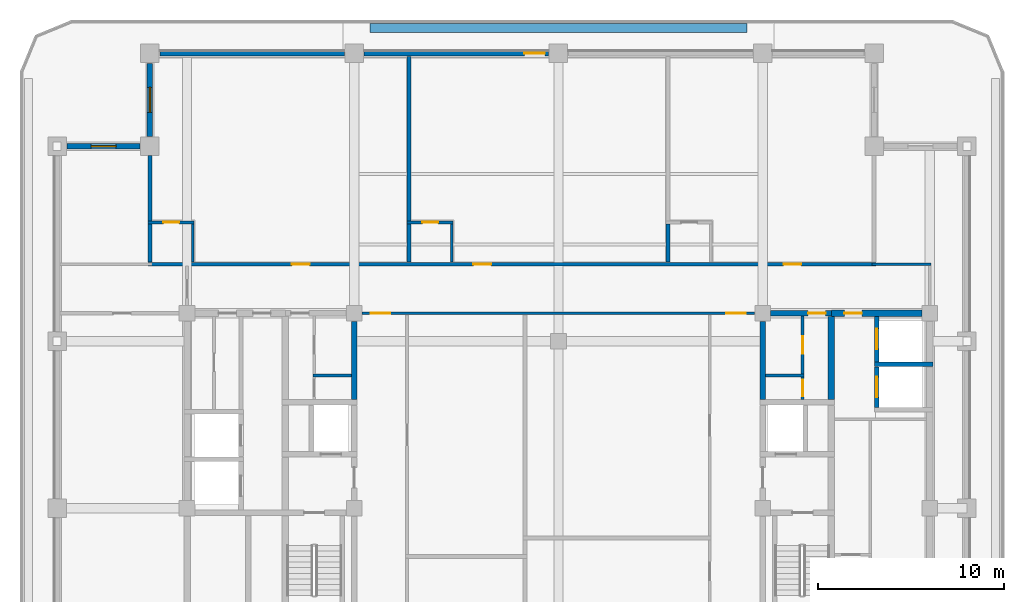
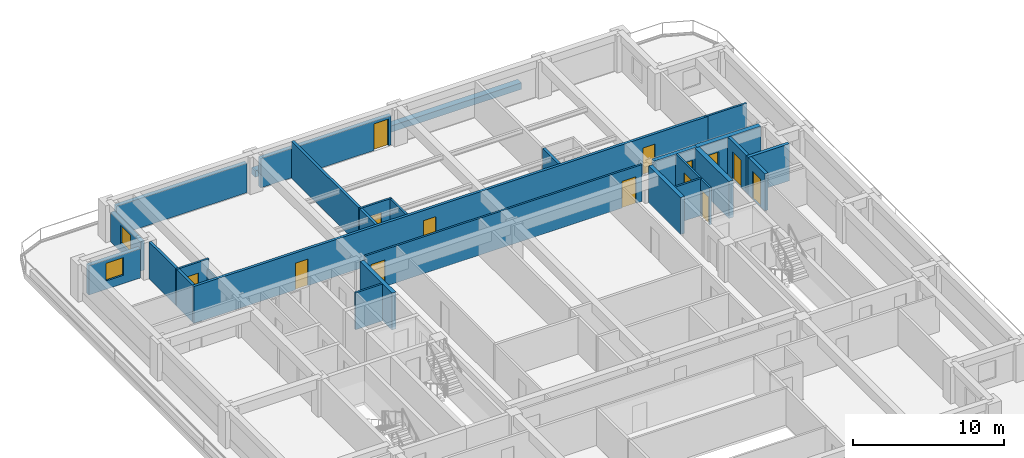
# One storey, part 5 of 13: 29 walls, 14 doors, 2 windows, 16 openings.
"""IFC4 building model written with IfcOpenShell, lengths in metres."""

from ifc_helpers import new_model, si_unit, direction, frame, frame_2d, origin, place, context, subcontext, project, spatial, rectangle, extrude, material, layer, layer_set, type_object, element, fill, save


model = new_model("IFC4")

# Units and contexts
model_context = context("Model", 3, precision=1e-05, world=origin(), true_north=direction((0.0, 1.0)))
body_context = subcontext(model_context, "Body", "Model", "MODEL_VIEW")
ifc_project = project(units=[si_unit("LENGTHUNIT", "METRE"), si_unit("AREAUNIT", "SQUARE_METRE"), si_unit("VOLUMEUNIT", "CUBIC_METRE"), si_unit("PLANEANGLEUNIT", "RADIAN"), si_unit("MASSUNIT", "GRAM", prefix="KILO")], contexts=[model_context])

# Site, building, storey
site_placement = place(None, origin())
site = spatial("IfcSite", under=ifc_project, at=site_placement, CompositionType="ELEMENT")
building_placement = place(site_placement, origin())
building = spatial("IfcBuilding", under=site, at=building_placement, Name="Zulmaris Gate Convention Tower", CompositionType="ELEMENT")
storey_placement = place(building_placement, frame((0.0, 0.0, 218.659912109375)))
storey = spatial("IfcBuildingStorey", under=building, at=storey_placement, Name="L57", CompositionType="ELEMENT", Elevation=218.659912109375)

# Wall
ifc_material_1 = material(Name="Concrete C50/60", Category="concrete")
ifc_layer_1 = layer(ifc_material_1, 0.25, Name="Concrete C50/60")
ifc_layer_set_1 = layer_set([ifc_layer_1], Name="Concrete C50/60")
wall_type_1 = type_object("IfcWallType", Name="CORE-250", PredefinedType="SOLIDWALL", material=ifc_layer_set_1)
wall_1_placement = place(storey_placement, frame((17.02490234375, 7.75, 0.0), z_axis=(0.0, 0.0, 1.0), x_axis=(1.0, 0.0, 0.0)))
element("IfcWall", 1, at=wall_1_placement, inside=storey, type_object=wall_type_1, Name="WL-L57-014", PredefinedType="SOLIDWALL", context=body_context, shape_type="SweptSolid", body=[
    extrude(rectangle(XDim=3.150146484375, YDim=0.25, at=frame_2d((1.5751953125, 0.0))), origin(), (0.0, 0.0, 1.0), 2.97509765625),
])

# Wall, opening, door
wall_2_placement = place(storey_placement, frame((17.14990234375, 5.427001953125, 0.0), z_axis=(0.0, 0.0, 1.0), x_axis=(0.0, 1.0, 0.0)))
wall_2 = element("IfcWall", 2, at=wall_2_placement, inside=storey, type_object=wall_type_1, Name="WL-L57-071", PredefinedType="SOLIDWALL", context=body_context, shape_type="SweptSolid", body=[
    extrude(rectangle(XDim=2.196044921875, YDim=0.25, at=frame_2d((1.09814453125, 0.0))), origin(), (0.0, 0.0, 1.0), 2.97509765625),
])
opening_1_placement = place(wall_2_placement, frame((0.548095703125, 0.0, 0.0)))
opening_1 = element("IfcOpeningElement", 3, at=opening_1_placement, cuts=wall_2, Name="Opening D-06", PredefinedType="OPENING", context=body_context, shape_type="SweptSolid", body=[
    extrude(rectangle(XDim=1.10009765625, YDim=2.199951171875, at=frame_2d((0.550048828125, 1.10009765625))), frame((0.0, 0.135009765625, 0.0), z_axis=(0.0, -1.0, 0.0), x_axis=(1.0, 0.0, 0.0)), (0.0, 0.0, 1.0), 0.27001953125),
])
ifc_material_2 = material(Name="Brushed Stainless Steel", Category="steel")
door_type_1 = type_object("IfcDoorType", Name="LD-1100", OperationType="NOTDEFINED", PredefinedType="DOOR", material=ifc_material_2)
door_1_placement = place(opening_1_placement, origin())
door_1 = element("IfcDoor", 4, at=door_1_placement, inside=storey, type_object=door_type_1, Name="L57 Lift Landing Door HP-01 19", OperationType="SLIDING_TO_RIGHT", OverallHeight=2.199951171875, OverallWidth=1.10009765625, PredefinedType="DOOR", context=body_context, shape_type="SweptSolid", body=[
    extrude(rectangle(XDim=1.10009765625, YDim=2.199951171875, at=frame_2d((0.550048828125, 1.10009765625))), frame((0.0, 0.02490234375, 0.0), z_axis=(0.0, -1.0, 0.0), x_axis=(1.0, 0.0, 0.0)), (0.0, 0.0, 1.0), 0.050048828125),
])
fill(opening_1, door_1)

wall_3_placement = place(storey_placement, frame((17.14990234375, 7.876953125, 0.0), z_axis=(0.0, 0.0, 1.0), x_axis=(0.0, 1.0, 0.0)))
wall_3 = element("IfcWall", 5, at=wall_3_placement, inside=storey, type_object=wall_type_1, Name="WL-L57-072", PredefinedType="SOLIDWALL", context=body_context, shape_type="SweptSolid", body=[
    extrude(rectangle(XDim=2.446044921875, YDim=0.25, at=frame_2d((1.22314453125, 0.0))), origin(), (0.0, 0.0, 1.0), 2.97509765625),
])
opening_2_placement = place(wall_3_placement, frame((0.697998046875, 0.0, 0.0)))
opening_2 = element("IfcOpeningElement", 6, at=opening_2_placement, cuts=wall_3, Name="Opening D-06", PredefinedType="OPENING", context=body_context, shape_type="SweptSolid", body=[
    extrude(rectangle(XDim=1.10009765625, YDim=2.199951171875, at=frame_2d((0.550048828125, 1.10009765625))), frame((0.0, 0.135009765625, 0.0), z_axis=(0.0, -1.0, 0.0), x_axis=(1.0, 0.0, 0.0)), (0.0, 0.0, 1.0), 0.27001953125),
])
door_2_placement = place(opening_2_placement, origin())
door_2 = element("IfcDoor", 7, at=door_2_placement, inside=storey, type_object=door_type_1, Name="L57 Lift Landing Door HP-02 20", OperationType="SLIDING_TO_RIGHT", OverallHeight=2.199951171875, OverallWidth=1.10009765625, PredefinedType="DOOR", context=body_context, shape_type="SweptSolid", body=[
    extrude(rectangle(XDim=1.10009765625, YDim=2.199951171875, at=frame_2d((0.550048828125, 1.10009765625))), frame((0.0, 0.02490234375, 0.0), z_axis=(0.0, -1.0, 0.0), x_axis=(1.0, 0.0, 0.0)), (0.0, 0.0, 1.0), 0.050048828125),
])
fill(opening_2, door_2)

ifc_layer_2 = layer(ifc_material_1, 0.300048828125, Name="Concrete C50/60")
ifc_layer_set_2 = layer_set([ifc_layer_2], Name="Concrete C50/60")
wall_type_2 = type_object("IfcWallType", Name="CORE-300", PredefinedType="SHEAR", material=ifc_layer_set_2)
wall_4_placement = place(storey_placement, frame((11.428955078125, 10.5, 0.0), z_axis=(0.0, 0.0, 1.0), x_axis=(1.0, 0.0, 0.0)))
wall_4 = element("IfcWall", 8, at=wall_4_placement, inside=storey, type_object=wall_type_2, Name="WL-L57-017", PredefinedType="SHEAR", context=body_context, shape_type="SweptSolid", body=[
    extrude(rectangle(XDim=3.27099609375, YDim=0.300048828125, at=frame_2d((1.635498046875, 0.0))), origin(), (0.0, 0.0, 1.0), 2.97509765625),
])
opening_3_placement = place(wall_4_placement, frame((2.01611328125, 0.0, 0.0)))
opening_3 = element("IfcOpeningElement", 9, at=opening_3_placement, cuts=wall_4, Name="Opening D-25", PredefinedType="OPENING", context=body_context, shape_type="SweptSolid", body=[
    extrude(rectangle(XDim=0.949951171875, YDim=2.02001953125, at=frame_2d((0.47509765625, 1.010009765625))), frame((0.0, 0.16015625, 0.0), z_axis=(0.0, -1.0, 0.0), x_axis=(1.0, 0.0, 0.0)), (0.0, 0.0, 1.0), 0.320068359375),
])
ifc_material_3 = material(Name="Fire-Rated Steel", Category="steel")
door_type_2 = type_object("IfcDoorType", Name="DR-950-LOW-FD", OperationType="NOTDEFINED", PredefinedType="DOOR", material=ifc_material_3)
door_3_placement = place(opening_3_placement, origin())
door_3 = element("IfcDoor", 10, at=door_3_placement, inside=storey, type_object=door_type_2, Name="L57 Core East Passage Door 10", OperationType="SINGLE_SWING_LEFT", OverallHeight=2.02001953125, OverallWidth=0.949951171875, PredefinedType="DOOR", context=body_context, shape_type="SweptSolid", body=[
    extrude(rectangle(XDim=0.949951171875, YDim=2.02001953125, at=frame_2d((0.47509765625, 1.010009765625))), frame((0.0, 0.02490234375, 0.0), z_axis=(0.0, -1.0, 0.0), x_axis=(1.0, 0.0, 0.0)), (0.0, 0.0, 1.0), 0.050048828125),
])
fill(opening_3, door_3)

# Walls
for number, where, z_axis, x_axis, name in (
    (11, (-11.0, 5.85205078125, 0.0), (0.0, 0.0, 1.0), (0.0, 1.0, 0.0), "WL-L57-060"),
    (12, (11.0, 5.85205078125, 0.0), (0.0, 0.0, 1.0), (0.0, 1.0, 0.0), "WL-L57-064"),
):
    element("IfcWall", number, at=place(storey_placement, frame(where, z_axis=z_axis, x_axis=x_axis)), inside=storey, type_object=wall_type_2, Name=name, PredefinedType="SHEAR", context=body_context, shape_type="SweptSolid", body=[
        extrude(rectangle(XDim=4.218994140625, YDim=0.300048828125, at=frame_2d((2.109375, 0.0))), origin(), (0.0, 0.0, 1.0), 2.97509765625),
    ])

# Wall, opening, door
ifc_material_4 = material(Name="Concrete C55/67", Category="concrete")
ifc_layer_3 = layer(ifc_material_4, 0.35009765625, Name="Concrete C55/67")
ifc_layer_set_3 = layer_set([ifc_layer_3], Name="Concrete C55/67")
wall_type_3 = type_object("IfcWallType", Name="CORE-350", PredefinedType="SHEAR", material=ifc_layer_set_3)
wall_5_placement = place(storey_placement, frame((14.699951171875, 10.5, 0.0), z_axis=(0.0, 0.0, 1.0), x_axis=(1.0, 0.0, 0.0)))
wall_5 = element("IfcWall", 13, at=wall_5_placement, inside=storey, type_object=wall_type_3, Name="WL-L57-018", PredefinedType="SHEAR", context=body_context, shape_type="SweptSolid", body=[
    extrude(rectangle(XDim=4.87109375, YDim=0.35009765625, at=frame_2d((2.435546875, 0.0))), origin(), (0.0, 0.0, 1.0), 2.97509765625),
])
opening_4_placement = place(wall_5_placement, frame((0.699951171875, 0.0, 0.0)))
opening_4 = element("IfcOpeningElement", 14, at=opening_4_placement, cuts=wall_5, Name="Opening D-25", PredefinedType="OPENING", context=body_context, shape_type="SweptSolid", body=[
    extrude(rectangle(XDim=0.949951171875, YDim=2.02001953125, at=frame_2d((0.47509765625, 1.010009765625))), frame((0.0, 0.18505859375, 0.0), z_axis=(0.0, -1.0, 0.0), x_axis=(1.0, 0.0, 0.0)), (0.0, 0.0, 1.0), 0.3701171875),
])
door_4_placement = place(opening_4_placement, origin())
door_4 = element("IfcDoor", 15, at=door_4_placement, inside=storey, type_object=door_type_2, Name="L57 High-Rise East Lift Lobby Door 21", OperationType="SINGLE_SWING_RIGHT", OverallHeight=2.02001953125, OverallWidth=0.949951171875, PredefinedType="DOOR", context=body_context, shape_type="SweptSolid", body=[
    extrude(rectangle(XDim=0.949951171875, YDim=2.02001953125, at=frame_2d((0.47509765625, 1.010009765625))), frame((0.0, 0.02490234375, 0.0), z_axis=(0.0, -1.0, 0.0), x_axis=(1.0, 0.0, 0.0)), (0.0, 0.0, 1.0), 0.050048828125),
])
fill(opening_4, door_4)

# Walls
wall_6_placement = place(storey_placement, frame((14.699951171875, 5.85205078125, 0.0), z_axis=(0.0, 0.0, 1.0), x_axis=(0.0, 1.0, 0.0)))
element("IfcWall", 16, at=wall_6_placement, inside=storey, type_object=wall_type_3, Name="WL-L57-070", PredefinedType="SHEAR", context=body_context, shape_type="SweptSolid", body=[
    extrude(rectangle(XDim=4.470947265625, YDim=0.35009765625, at=frame_2d((2.2353515625, 0.0))), origin(), (0.0, 0.0, 1.0), 2.97509765625),
])
ifc_material_5 = material(Name="Gypsum Metal Stud Partition")
ifc_layer_4 = layer(ifc_material_5, 0.14990234375, Name="Gypsum Metal Stud Partition")
ifc_layer_set_4 = layer_set([ifc_layer_4], Name="Gypsum Metal Stud Partition")
wall_type_4 = type_object("IfcWallType", Name="PART-150", PredefinedType="PARTITIONING", material=ifc_layer_set_4)
for number, where, z_axis, x_axis, name in (
    (17, (-13.22509765625, 7.14990234375, 0.0), (0.0, 0.0, 1.0), (1.0, 0.0, 0.0), "WL-L57-034"),
    (18, (11.153076171875, 7.14990234375, 0.0), (0.0, 0.0, 1.0), (1.0, 0.0, 0.0), "WL-L57-035"),
):
    element("IfcWall", number, at=place(storey_placement, frame(where, z_axis=z_axis, x_axis=x_axis)), inside=storey, type_object=wall_type_4, Name=name, PredefinedType="PARTITIONING", context=body_context, shape_type="SweptSolid", body=[
        extrude(rectangle(XDim=2.072021484375, YDim=0.14990234375, at=frame_2d((1.0361328125, 0.0))), origin(), (0.0, 0.0, 1.0), 2.97509765625),
    ])

# Wall, openings, doors
wall_7_placement = place(storey_placement, frame((-10.569091796875, 10.5, 0.0), z_axis=(0.0, 0.0, 1.0), x_axis=(1.0, 0.0, 0.0)))
wall_7 = element("IfcWall", 19, at=wall_7_placement, inside=storey, type_object=wall_type_4, Name="WL-L57-037", PredefinedType="PARTITIONING", context=body_context, shape_type="SweptSolid", body=[
    extrude(rectangle(XDim=21.13818359375, YDim=0.14990234375, at=frame_2d((10.569091796875, 0.0))), origin(), (0.0, 0.0, 1.0), 2.97509765625),
])
opening_5_placement = place(wall_7_placement, frame((0.47412109375, 0.0, 0.0)))
opening_5 = element("IfcOpeningElement", 20, at=opening_5_placement, cuts=wall_7, Name="Opening D-09", PredefinedType="OPENING", context=body_context, shape_type="SweptSolid", body=[
    extrude(rectangle(XDim=1.050048828125, YDim=2.14990234375, at=frame_2d((0.52490234375, 1.074951171875))), frame((0.0, 0.0849609375, 0.0), z_axis=(0.0, -1.0, 0.0), x_axis=(1.0, 0.0, 0.0)), (0.0, 0.0, 1.0), 0.169921875),
])
opening_6_placement = place(wall_7_placement, frame((19.614013671875, 0.0, 0.0)))
opening_6 = element("IfcOpeningElement", 21, at=opening_6_placement, cuts=wall_7, Name="Opening D-09", PredefinedType="OPENING", context=body_context, shape_type="SweptSolid", body=[
    extrude(rectangle(XDim=1.050048828125, YDim=2.14990234375, at=frame_2d((0.52490234375, 1.074951171875))), frame((0.0, 0.0849609375, 0.0), z_axis=(0.0, -1.0, 0.0), x_axis=(1.0, 0.0, 0.0)), (0.0, 0.0, 1.0), 0.169921875),
])
door_type_3 = type_object("IfcDoorType", Name="DR-1050-FD", OperationType="NOTDEFINED", PredefinedType="DOOR", material=ifc_material_3)
door_5_placement = place(opening_5_placement, origin())
door_5 = element("IfcDoor", 22, at=door_5_placement, inside=storey, type_object=door_type_3, Name="L57 NW Hotel Loop Door 25", OperationType="SINGLE_SWING_RIGHT", OverallHeight=2.14990234375, OverallWidth=1.050048828125, PredefinedType="DOOR", context=body_context, shape_type="SweptSolid", body=[
    extrude(rectangle(XDim=1.050048828125, YDim=2.14990234375, at=frame_2d((0.52490234375, 1.074951171875))), frame((0.0, 0.02490234375, 0.0), z_axis=(0.0, -1.0, 0.0), x_axis=(1.0, 0.0, 0.0)), (0.0, 0.0, 1.0), 0.050048828125),
])
fill(opening_5, door_5)
door_6_placement = place(opening_6_placement, origin())
door_6 = element("IfcDoor", 23, at=door_6_placement, inside=storey, type_object=door_type_3, Name="L57 NE Hotel Loop Door 27", OperationType="SINGLE_SWING_RIGHT", OverallHeight=2.14990234375, OverallWidth=1.050048828125, PredefinedType="DOOR", context=body_context, shape_type="SweptSolid", body=[
    extrude(rectangle(XDim=1.050048828125, YDim=2.14990234375, at=frame_2d((0.52490234375, 1.074951171875))), frame((0.0, 0.02490234375, 0.0), z_axis=(0.0, -1.0, 0.0), x_axis=(1.0, 0.0, 0.0)), (0.0, 0.0, 1.0), 0.050048828125),
])
fill(opening_6, door_6)

# Wall
wall_8_placement = place(storey_placement, frame((16.89990234375, 13.14990234375, 0.0), z_axis=(0.0, 0.0, 1.0), x_axis=(1.0, 0.0, 0.0)))
element("IfcWall", 24, at=wall_8_placement, inside=storey, type_object=wall_type_4, Name="WL-L57-040", PredefinedType="PARTITIONING", context=body_context, shape_type="SweptSolid", body=[
    extrude(rectangle(XDim=3.175048828125, YDim=0.14990234375, at=frame_2d((1.58740234375, 0.0))), origin(), (0.0, 0.0, 1.0), 2.97509765625),
])

# Wall, opening, door
wall_9_placement = place(storey_placement, frame((-22.10009765625, 15.39990234375, 0.0), z_axis=(0.0, 0.0, 1.0), x_axis=(1.0, 0.0, 0.0)))
wall_9 = element("IfcWall", 25, at=wall_9_placement, inside=storey, type_object=wall_type_4, Name="WL-L57-041", PredefinedType="PARTITIONING", context=body_context, shape_type="SweptSolid", body=[
    extrude(rectangle(XDim=2.47509765625, YDim=0.14990234375, at=frame_2d((1.237548828125, 0.0))), origin(), (0.0, 0.0, 1.0), 2.97509765625),
])
opening_7_placement = place(wall_9_placement, frame((0.824951171875, 0.0, 0.0)))
opening_7 = element("IfcOpeningElement", 26, at=opening_7_placement, cuts=wall_9, Name="Opening D-17", PredefinedType="OPENING", context=body_context, shape_type="SweptSolid", body=[
    extrude(rectangle(XDim=0.85009765625, YDim=2.10009765625, at=frame_2d((0.425048828125, 1.050048828125))), frame((0.0, 0.0849609375, 0.0), z_axis=(0.0, -1.0, 0.0), x_axis=(1.0, 0.0, 0.0)), (0.0, 0.0, 1.0), 0.169921875),
])
ifc_material_6 = material(Name="Moisture-Resistant Hardwood Timber", Category="wood")
door_type_4 = type_object("IfcDoorType", Name="DR-850", OperationType="NOTDEFINED", PredefinedType="DOOR", material=ifc_material_6)
door_7_placement = place(opening_7_placement, origin())
door_7 = element("IfcDoor", 27, at=door_7_placement, inside=storey, type_object=door_type_4, Name="L57 En-Suite Door 30", OperationType="SINGLE_SWING_LEFT", OverallHeight=2.10009765625, OverallWidth=0.85009765625, PredefinedType="DOOR", context=body_context, shape_type="SweptSolid", body=[
    extrude(rectangle(XDim=0.85009765625, YDim=2.10009765625, at=frame_2d((0.425048828125, 1.050048828125))), frame((0.0, 0.02490234375, 0.0), z_axis=(0.0, -1.0, 0.0), x_axis=(1.0, 0.0, 0.0)), (0.0, 0.0, 1.0), 0.050048828125),
])
fill(opening_7, door_7)

wall_10_placement = place(storey_placement, frame((-8.14990234375, 15.39990234375, 0.0), z_axis=(0.0, 0.0, 1.0), x_axis=(1.0, 0.0, 0.0)))
wall_10 = element("IfcWall", 28, at=wall_10_placement, inside=storey, type_object=wall_type_4, Name="WL-L57-042", PredefinedType="PARTITIONING", context=body_context, shape_type="SweptSolid", body=[
    extrude(rectangle(XDim=2.474853515625, YDim=0.14990234375, at=frame_2d((1.2373046875, 0.0))), origin(), (0.0, 0.0, 1.0), 2.97509765625),
])
opening_8_placement = place(wall_10_placement, frame((0.824951171875, 0.0, 0.0)))
opening_8 = element("IfcOpeningElement", 29, at=opening_8_placement, cuts=wall_10, Name="Opening D-17", PredefinedType="OPENING", context=body_context, shape_type="SweptSolid", body=[
    extrude(rectangle(XDim=0.85009765625, YDim=2.10009765625, at=frame_2d((0.425048828125, 1.050048828125))), frame((0.0, 0.0849609375, 0.0), z_axis=(0.0, -1.0, 0.0), x_axis=(1.0, 0.0, 0.0)), (0.0, 0.0, 1.0), 0.169921875),
])
door_8_placement = place(opening_8_placement, origin())
door_8 = element("IfcDoor", 30, at=door_8_placement, inside=storey, type_object=door_type_4, Name="L57 En-Suite Door 32", OperationType="SINGLE_SWING_LEFT", OverallHeight=2.10009765625, OverallWidth=0.85009765625, PredefinedType="DOOR", context=body_context, shape_type="SweptSolid", body=[
    extrude(rectangle(XDim=0.85009765625, YDim=2.10009765625, at=frame_2d((0.425048828125, 1.050048828125))), frame((0.0, 0.02490234375, 0.0), z_axis=(0.0, -1.0, 0.0), x_axis=(1.0, 0.0, 0.0)), (0.0, 0.0, 1.0), 0.050048828125),
])
fill(opening_8, door_8)

# Walls
wall_11_placement = place(storey_placement, frame((-19.699951171875, 13.2529296875, 0.0), z_axis=(0.0, 0.0, 1.0), x_axis=(0.0, 1.0, 0.0)))
element("IfcWall", 31, at=wall_11_placement, inside=storey, type_object=wall_type_4, Name="WL-L57-083", PredefinedType="PARTITIONING", context=body_context, shape_type="SweptSolid", body=[
    extrude(rectangle(XDim=2.069091796875, YDim=0.14990234375, at=frame_2d((1.03466796875, 0.0))), origin(), (0.0, 0.0, 1.0), 2.167236328125),
])
wall_12_placement = place(storey_placement, frame((-5.75, 13.2529296875, 0.0), z_axis=(0.0, 0.0, 1.0), x_axis=(0.0, 1.0, 0.0)))
element("IfcWall", 32, at=wall_12_placement, inside=storey, type_object=wall_type_4, Name="WL-L57-095", PredefinedType="PARTITIONING", context=body_context, shape_type="SweptSolid", body=[
    extrude(rectangle(XDim=2.069091796875, YDim=0.14990234375, at=frame_2d((1.03466796875, 0.0))), origin(), (0.0, 0.0, 1.0), 2.97509765625),
])

# Wall, opening, door
wall_13_placement = place(storey_placement, frame((13.14990234375, 5.85302734375, 0.0), z_axis=(0.0, 0.0, 1.0), x_axis=(0.0, 1.0, 0.0)))
wall_13 = element("IfcWall", 33, at=wall_13_placement, inside=storey, type_object=wall_type_4, Name="WL-L57-112", PredefinedType="PARTITIONING", context=body_context, shape_type="SweptSolid", body=[
    extrude(rectangle(XDim=1.218994140625, YDim=0.14990234375, at=frame_2d((0.609375, 0.0))), origin(), (0.0, 0.0, 1.0), 2.97509765625),
])
opening_9_placement = place(wall_13_placement, frame((0.1689453125, 0.0, 0.0)))
opening_9 = element("IfcOpeningElement", 34, at=opening_9_placement, cuts=wall_13, Name="Opening D-12", PredefinedType="OPENING", context=body_context, shape_type="SweptSolid", body=[
    extrude(rectangle(XDim=0.89990234375, YDim=2.14990234375, at=frame_2d((0.449951171875, 1.074951171875))), frame((0.0, 0.0849609375, 0.0), z_axis=(0.0, -1.0, 0.0), x_axis=(1.0, 0.0, 0.0)), (0.0, 0.0, 1.0), 0.169921875),
])
ifc_material_7 = material(Name="Fire-Rated Timber", Category="wood")
door_type_5 = type_object("IfcDoorType", Name="DR-900-FD", OperationType="NOTDEFINED", PredefinedType="DOOR", material=ifc_material_7)
door_9_placement = place(opening_9_placement, origin())
door_9 = element("IfcDoor", 35, at=door_9_placement, inside=storey, type_object=door_type_5, Name="L57 Core Staff WC Door 11", OperationType="SINGLE_SWING_RIGHT", OverallHeight=2.14990234375, OverallWidth=0.89990234375, PredefinedType="DOOR", context=body_context, shape_type="SweptSolid", body=[
    extrude(rectangle(XDim=0.89990234375, YDim=2.14990234375, at=frame_2d((0.449951171875, 1.074951171875))), frame((0.0, 0.02490234375, 0.0), z_axis=(0.0, -1.0, 0.0), x_axis=(1.0, 0.0, 0.0)), (0.0, 0.0, 1.0), 0.050048828125),
])
fill(opening_9, door_9)

wall_14_placement = place(storey_placement, frame((13.14990234375, 7.22802734375, 0.0), z_axis=(0.0, 0.0, 1.0), x_axis=(0.0, 1.0, 0.0)))
wall_14 = element("IfcWall", 36, at=wall_14_placement, inside=storey, type_object=wall_type_4, Name="WL-L57-113", PredefinedType="PARTITIONING", context=body_context, shape_type="SweptSolid", body=[
    extrude(rectangle(XDim=3.118896484375, YDim=0.14990234375, at=frame_2d((1.5595703125, 0.0))), origin(), (0.0, 0.0, 1.0), 2.97509765625),
])
opening_10_placement = place(wall_14_placement, frame((1.096923828125, 0.0, 0.0)))
opening_10 = element("IfcOpeningElement", 37, at=opening_10_placement, cuts=wall_14, Name="Opening D-11", PredefinedType="OPENING", context=body_context, shape_type="SweptSolid", body=[
    extrude(rectangle(XDim=0.949951171875, YDim=2.14990234375, at=frame_2d((0.47509765625, 1.074951171875))), frame((0.0, 0.0849609375, 0.0), z_axis=(0.0, -1.0, 0.0), x_axis=(1.0, 0.0, 0.0)), (0.0, 0.0, 1.0), 0.169921875),
])
door_type_6 = type_object("IfcDoorType", Name="DR-950-FD", OperationType="NOTDEFINED", PredefinedType="DOOR", material=ifc_material_7)
door_10_placement = place(opening_10_placement, origin())
door_10 = element("IfcDoor", 38, at=door_10_placement, inside=storey, type_object=door_type_6, Name="L57 Core Hygiene Store Door 12", OperationType="SINGLE_SWING_LEFT", OverallHeight=2.14990234375, OverallWidth=0.949951171875, PredefinedType="DOOR", context=body_context, shape_type="SweptSolid", body=[
    extrude(rectangle(XDim=0.949951171875, YDim=2.14990234375, at=frame_2d((0.47509765625, 1.074951171875))), frame((0.0, 0.02490234375, 0.0), z_axis=(0.0, -1.0, 0.0), x_axis=(1.0, 0.0, 0.0)), (0.0, 0.0, 1.0), 0.050048828125),
])
fill(opening_10, door_10)

# Wall, openings, doors
ifc_material_8 = material(Name="Autoclaved Aerated Concrete Block and Plasterboard", Category="concrete")
ifc_layer_5 = layer(ifc_material_8, 0.199951171875, Name="Autoclaved Aerated Concrete Block and Plasterboard")
ifc_layer_set_5 = layer_set([ifc_layer_5], Name="Autoclaved Aerated Concrete Block and Plasterboard")
wall_type_5 = type_object("IfcWallType", Name="PART-200", PredefinedType="PARTITIONING", material=ifc_layer_set_5)
wall_15_placement = place(storey_placement, frame((-22.10009765625, 13.14990234375, 0.0), z_axis=(0.0, 0.0, 1.0), x_axis=(1.0, 0.0, 0.0)))
wall_15 = element("IfcWall", 39, at=wall_15_placement, inside=storey, type_object=wall_type_5, Name="WL-L57-039", PredefinedType="PARTITIONING", context=body_context, shape_type="SweptSolid", body=[
    extrude(rectangle(XDim=39.2001953125, YDim=0.199951171875, at=frame_2d((19.60009765625, 0.0))), origin(), (0.0, 0.0, 1.0), 2.97509765625),
])
opening_11_placement = place(wall_15_placement, frame((7.7451171875, 0.0, 0.0)))
opening_11 = element("IfcOpeningElement", 40, at=opening_11_placement, cuts=wall_15, Name="Opening D-11", PredefinedType="OPENING", context=body_context, shape_type="SweptSolid", body=[
    extrude(rectangle(XDim=0.949951171875, YDim=2.14990234375, at=frame_2d((0.47509765625, 1.074951171875))), frame((0.0, 0.10986328125, 0.0), z_axis=(0.0, -1.0, 0.0), x_axis=(1.0, 0.0, 0.0)), (0.0, 0.0, 1.0), 0.219970703125),
])
opening_12_placement = place(wall_15_placement, frame((17.52490234375, 0.0, 0.0)))
opening_12 = element("IfcOpeningElement", 41, at=opening_12_placement, cuts=wall_15, Name="Opening D-11", PredefinedType="OPENING", context=body_context, shape_type="SweptSolid", body=[
    extrude(rectangle(XDim=0.949951171875, YDim=2.14990234375, at=frame_2d((0.47509765625, 1.074951171875))), frame((0.0, 0.10986328125, 0.0), z_axis=(0.0, -1.0, 0.0), x_axis=(1.0, 0.0, 0.0)), (0.0, 0.0, 1.0), 0.219970703125),
])
opening_13_placement = place(wall_15_placement, frame((34.22509765625, 0.0, 0.0)))
opening_13 = element("IfcOpeningElement", 42, at=opening_13_placement, cuts=wall_15, Name="Opening D-11", PredefinedType="OPENING", context=body_context, shape_type="SweptSolid", body=[
    extrude(rectangle(XDim=0.949951171875, YDim=2.14990234375, at=frame_2d((0.47509765625, 1.074951171875))), frame((0.0, 0.10986328125, 0.0), z_axis=(0.0, -1.0, 0.0), x_axis=(1.0, 0.0, 0.0)), (0.0, 0.0, 1.0), 0.219970703125),
])
door_11_placement = place(opening_11_placement, origin())
door_11 = element("IfcDoor", 43, at=door_11_placement, inside=storey, type_object=door_type_6, Name="L57 Hotel Diplomatic Suite Door 29", OperationType="SINGLE_SWING_RIGHT", OverallHeight=2.14990234375, OverallWidth=0.949951171875, PredefinedType="DOOR", context=body_context, shape_type="SweptSolid", body=[
    extrude(rectangle(XDim=0.949951171875, YDim=2.14990234375, at=frame_2d((0.47509765625, 1.074951171875))), frame((0.0, 0.02490234375, 0.0), z_axis=(0.0, -1.0, 0.0), x_axis=(1.0, 0.0, 0.0)), (0.0, 0.0, 1.0), 0.050048828125),
])
fill(opening_11, door_11)
door_12_placement = place(opening_12_placement, origin())
door_12 = element("IfcDoor", 44, at=door_12_placement, inside=storey, type_object=door_type_6, Name="L57 Hotel Diplomatic Suite Door 31", OperationType="SINGLE_SWING_RIGHT", OverallHeight=2.14990234375, OverallWidth=0.949951171875, PredefinedType="DOOR", context=body_context, shape_type="SweptSolid", body=[
    extrude(rectangle(XDim=0.949951171875, YDim=2.14990234375, at=frame_2d((0.47509765625, 1.074951171875))), frame((0.0, 0.02490234375, 0.0), z_axis=(0.0, -1.0, 0.0), x_axis=(1.0, 0.0, 0.0)), (0.0, 0.0, 1.0), 0.050048828125),
])
fill(opening_12, door_12)
door_13_placement = place(opening_13_placement, origin())
door_13 = element("IfcDoor", 45, at=door_13_placement, inside=storey, type_object=door_type_6, Name="L57 Hotel Diplomatic Suite Door 33", OperationType="SINGLE_SWING_RIGHT", OverallHeight=2.14990234375, OverallWidth=0.949951171875, PredefinedType="DOOR", context=body_context, shape_type="SweptSolid", body=[
    extrude(rectangle(XDim=0.949951171875, YDim=2.14990234375, at=frame_2d((0.47509765625, 1.074951171875))), frame((0.0, 0.02490234375, 0.0), z_axis=(0.0, -1.0, 0.0), x_axis=(1.0, 0.0, 0.0)), (0.0, 0.0, 1.0), 0.050048828125),
])
fill(opening_13, door_13)

# Walls
wall_16_placement = place(storey_placement, frame((-22.0, 13.2529296875, 0.0), z_axis=(0.0, 0.0, 1.0), x_axis=(0.0, 1.0, 0.0)))
element("IfcWall", 46, at=wall_16_placement, inside=storey, type_object=wall_type_5, Name="WL-L57-078", PredefinedType="PARTITIONING", context=body_context, shape_type="SweptSolid", body=[
    extrude(rectangle(XDim=2.069091796875, YDim=0.199951171875, at=frame_2d((1.03466796875, 0.0))), origin(), (0.0, 0.0, 1.0), 2.97509765625),
])
wall_17_placement = place(storey_placement, frame((-22.0, 15.47802734375, 0.0), z_axis=(0.0, 0.0, 1.0), x_axis=(0.0, 1.0, 0.0)))
element("IfcWall", 47, at=wall_17_placement, inside=storey, type_object=wall_type_5, Name="WL-L57-079", PredefinedType="PARTITIONING", context=body_context, shape_type="SweptSolid", body=[
    extrude(rectangle(XDim=3.515869140625, YDim=0.199951171875, at=frame_2d((1.7578125, 0.0))), origin(), (0.0, 0.0, 1.0), 2.97509765625),
])
wall_18_placement = place(storey_placement, frame((-8.050048828125, 13.2529296875, 0.0), z_axis=(0.0, 0.0, 1.0), x_axis=(0.0, 1.0, 0.0)))
element("IfcWall", 48, at=wall_18_placement, inside=storey, type_object=wall_type_5, Name="WL-L57-090", PredefinedType="PARTITIONING", context=body_context, shape_type="SweptSolid", body=[
    extrude(rectangle(XDim=2.069091796875, YDim=0.199951171875, at=frame_2d((1.03466796875, 0.0))), origin(), (0.0, 0.0, 1.0), 2.97509765625),
])
wall_19_placement = place(storey_placement, frame((-8.050048828125, 15.47802734375, 0.0), z_axis=(0.0, 0.0, 1.0), x_axis=(0.0, 1.0, 0.0)))
element("IfcWall", 49, at=wall_19_placement, inside=storey, type_object=wall_type_5, Name="WL-L57-091", PredefinedType="PARTITIONING", context=body_context, shape_type="SweptSolid", body=[
    extrude(rectangle(XDim=8.85693359375, YDim=0.199951171875, at=frame_2d((4.428466796875, 0.0))), origin(), (0.0, 0.0, 1.0), 2.97509765625),
])
wall_20_placement = place(storey_placement, frame((5.89990234375, 13.2529296875, 0.0), z_axis=(0.0, 0.0, 1.0), x_axis=(0.0, 1.0, 0.0)))
element("IfcWall", 50, at=wall_20_placement, inside=storey, type_object=wall_type_5, Name="WL-L57-101", PredefinedType="PARTITIONING", context=body_context, shape_type="SweptSolid", body=[
    extrude(rectangle(XDim=2.069091796875, YDim=0.199951171875, at=frame_2d((1.03466796875, 0.0))), origin(), (0.0, 0.0, 1.0), 2.97509765625),
])
ifc_material_9 = material(Name="Botanical Green Glazed Precast Concrete C40/50", Category="concrete")
ifc_layer_6 = layer(ifc_material_9, 0.419921875, Name="Botanical Green Glazed Precast Concrete C40/50")
ifc_layer_set_6 = layer_set([ifc_layer_6], Name="Botanical Green Glazed Precast Concrete C40/50")
wall_type_6 = type_object("IfcWallType", Name="PLANTER-CURB-200", PredefinedType="PARAPET", material=ifc_layer_set_6)
wall_21_placement = place(storey_placement, frame((-10.14990234375, 25.8798828125, -0.0400390625), z_axis=(0.0, 0.0, 1.0), x_axis=(1.0, 0.0, 0.0)))
element("IfcWall", 51, at=wall_21_placement, inside=storey, type_object=wall_type_6, Name="L57 Full-Length Balcony Tree Planter Trough", PredefinedType="PARAPET", context=body_context, shape_type="SweptSolid", body=[
    extrude(rectangle(XDim=20.2998046875, YDim=0.47998046875, at=frame_2d((10.14990234375, 0.0))), origin(), (0.0, 0.0, 1.0), 0.52001953125),
])

# Wall, opening, window
ifc_material_10 = material(Name="Precast concrete C40/50", Category="concrete")
ifc_layer_7 = layer(ifc_material_10, 0.300048828125, Name="Precast concrete C40/50")
ifc_layer_set_7 = layer_set([ifc_layer_7], Name="Precast concrete C40/50")
wall_type_7 = type_object("IfcWallType", Name="PRECAST-PIER-300", PredefinedType="STANDARD", material=ifc_layer_set_7)
wall_22_placement = place(storey_placement, frame((-22.0, 23.969970703125, 0.0), z_axis=(0.0, 0.0, 1.0), x_axis=(0.0, -1.0, 0.0)))
wall_22 = element("IfcWall", 52, at=wall_22_placement, inside=storey, type_object=wall_type_7, Name="EW-L57-NOTCH-NW1_0", PredefinedType="STANDARD", context=body_context, shape_type="SweptSolid", body=[
    extrude(rectangle(XDim=3.93994140625, YDim=0.300048828125, at=frame_2d((1.969970703125, 0.0))), origin(), (0.0, 0.0, 1.0), 2.3671875),
])
opening_14_placement = place(wall_22_placement, frame((1.294921875, 0.0, 0.679931640625)))
opening_14 = element("IfcOpeningElement", 53, at=opening_14_placement, cuts=wall_22, Name="Opening W-10", PredefinedType="OPENING", context=body_context, shape_type="SweptSolid", body=[
    extrude(rectangle(XDim=1.35009765625, YDim=1.419921875, at=frame_2d((0.675048828125, 0.7099609375))), frame((0.0, 0.16015625, 0.0), z_axis=(0.0, -1.0, 0.0), x_axis=(1.0, 0.0, 0.0)), (0.0, 0.0, 1.0), 0.320068359375),
])
ifc_material_11 = material(Name="Low-E Laminated Double Glazing in Aluminium Frame", Category="aluminium")
window_type = type_object("IfcWindowType", Name="WIN-1350x2000", PartitioningType="SINGLE_PANEL", PredefinedType="WINDOW", material=ifc_material_11)
window_1_placement = place(opening_14_placement, origin())
window_1 = element("IfcWindow", 54, at=window_1_placement, inside=storey, type_object=window_type, Name="WN-EW-L57-NOTCH-NW1_0", OverallHeight=1.419921875, OverallWidth=1.35009765625, PartitioningType="SINGLE_PANEL", PredefinedType="WINDOW", context=body_context, shape_type="SweptSolid", body=[
    extrude(rectangle(XDim=1.35009765625, YDim=1.419921875, at=frame_2d((0.675048828125, 0.7099609375))), frame((0.0, 0.030029296875, 0.0), z_axis=(0.0, -1.0, 0.0), x_axis=(1.0, 0.0, 0.0)), (0.0, 0.0, 1.0), 0.06005859375),
])
fill(opening_14, window_1)

wall_23_placement = place(storey_placement, frame((-22.530029296875, 19.5, 0.0), z_axis=(0.0, 0.0, 1.0), x_axis=(-1.0, 0.0, 0.0)))
wall_23 = element("IfcWall", 55, at=wall_23_placement, inside=storey, type_object=wall_type_7, Name="EW-L57-NOTCH-NW2_0", PredefinedType="STANDARD", context=body_context, shape_type="SweptSolid", body=[
    extrude(rectangle(XDim=3.93994140625, YDim=0.300048828125, at=frame_2d((1.969970703125, 0.0))), origin(), (0.0, 0.0, 1.0), 2.3671875),
])
opening_15_placement = place(wall_23_placement, frame((1.294921875, 0.0, 0.679931640625)))
opening_15 = element("IfcOpeningElement", 56, at=opening_15_placement, cuts=wall_23, Name="Opening W-10", PredefinedType="OPENING", context=body_context, shape_type="SweptSolid", body=[
    extrude(rectangle(XDim=1.35009765625, YDim=1.419921875, at=frame_2d((0.675048828125, 0.7099609375))), frame((0.0, 0.16015625, 0.0), z_axis=(0.0, -1.0, 0.0), x_axis=(1.0, 0.0, 0.0)), (0.0, 0.0, 1.0), 0.320068359375),
])
window_2_placement = place(opening_15_placement, origin())
window_2 = element("IfcWindow", 57, at=window_2_placement, inside=storey, type_object=window_type, Name="WN-EW-L57-NOTCH-NW2_0", OverallHeight=1.419921875, OverallWidth=1.35009765625, PartitioningType="SINGLE_PANEL", PredefinedType="WINDOW", context=body_context, shape_type="SweptSolid", body=[
    extrude(rectangle(XDim=1.35009765625, YDim=1.419921875, at=frame_2d((0.675048828125, 0.7099609375))), frame((0.0, 0.030029296875, 0.0), z_axis=(0.0, -1.0, 0.0), x_axis=(1.0, 0.0, 0.0)), (0.0, 0.0, 1.0), 0.06005859375),
])
fill(opening_15, window_2)

# Wall
wall_24_placement = place(storey_placement, frame((-11.530029296875, 24.5, 0.0), z_axis=(0.0, 0.0, 1.0), x_axis=(-1.0, 0.0, 0.0)))
element("IfcWall", 58, at=wall_24_placement, inside=storey, type_object=wall_type_7, Name="EW-L57-N-0_0", PredefinedType="STANDARD", context=body_context, shape_type="SweptSolid", body=[
    extrude(rectangle(XDim=9.93994140625, YDim=0.300048828125, at=frame_2d((4.969970703125, 0.0))), origin(), (0.0, 0.0, 1.0), 2.3671875),
])

# Wall, opening, door
wall_25_placement = place(storey_placement, frame((-0.530029296875, 24.5, 0.0), z_axis=(0.0, 0.0, 1.0), x_axis=(-1.0, 0.0, 0.0)))
wall_25 = element("IfcWall", 59, at=wall_25_placement, inside=storey, type_object=wall_type_7, Name="EW-L57-N-1_0", PredefinedType="STANDARD", context=body_context, shape_type="SweptSolid", body=[
    extrude(rectangle(XDim=9.93994140625, YDim=0.300048828125, at=frame_2d((4.969970703125, 0.0))), origin(), (0.0, 0.0, 1.0), 2.3671875),
])
opening_16_placement = place(wall_25_placement, frame((0.199951171875, 0.0, 0.0)))
opening_16 = element("IfcOpeningElement", 60, at=opening_16_placement, cuts=wall_25, Name="Opening D-04", PredefinedType="OPENING", context=body_context, shape_type="SweptSolid", body=[
    extrude(rectangle(XDim=1.10009765625, YDim=2.14990234375, at=frame_2d((0.550048828125, 1.074951171875))), frame((0.0, 0.16015625, 0.0), z_axis=(0.0, -1.0, 0.0), x_axis=(1.0, 0.0, 0.0)), (0.0, 0.0, 1.0), 0.320068359375),
])
ifc_material_12 = material(Name="Anodised Aluminium and Laminated Glass", Category="aluminium")
door_type_7 = type_object("IfcDoorType", Name="ED-1100", OperationType="SINGLE_SWING_RIGHT", PredefinedType="DOOR", material=ifc_material_12)
door_14_placement = place(opening_16_placement, origin())
door_14 = element("IfcDoor", 61, at=door_14_placement, inside=storey, type_object=door_type_7, Name="L57 N Planted Terrace Door", OperationType="SINGLE_SWING_LEFT", OverallHeight=2.14990234375, OverallWidth=1.10009765625, PredefinedType="DOOR", context=body_context, shape_type="SweptSolid", body=[
    extrude(rectangle(XDim=1.10009765625, YDim=2.14990234375, at=frame_2d((0.550048828125, 1.074951171875))), frame((0.0, 0.02490234375, 0.0), z_axis=(0.0, -1.0, 0.0), x_axis=(1.0, 0.0, 0.0)), (0.0, 0.0, 1.0), 0.050048828125),
])
fill(opening_16, door_14)

save(model, "model.ifc")
